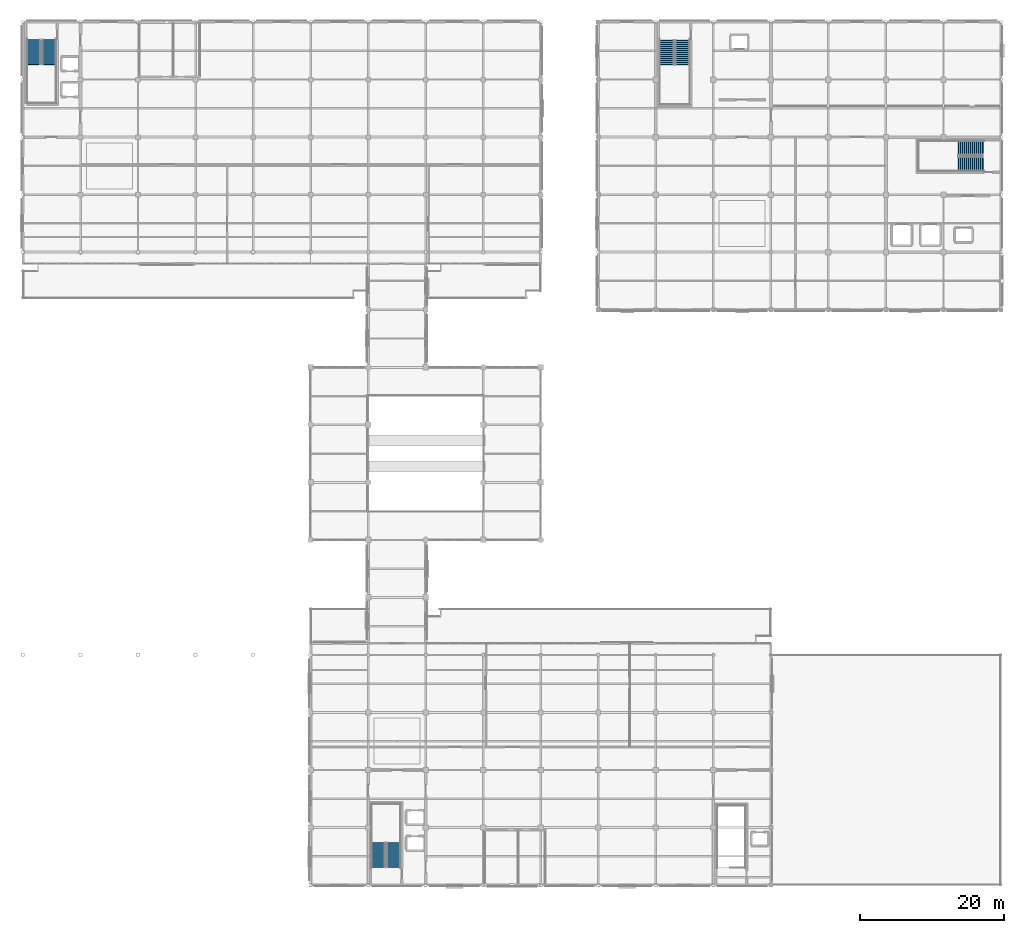
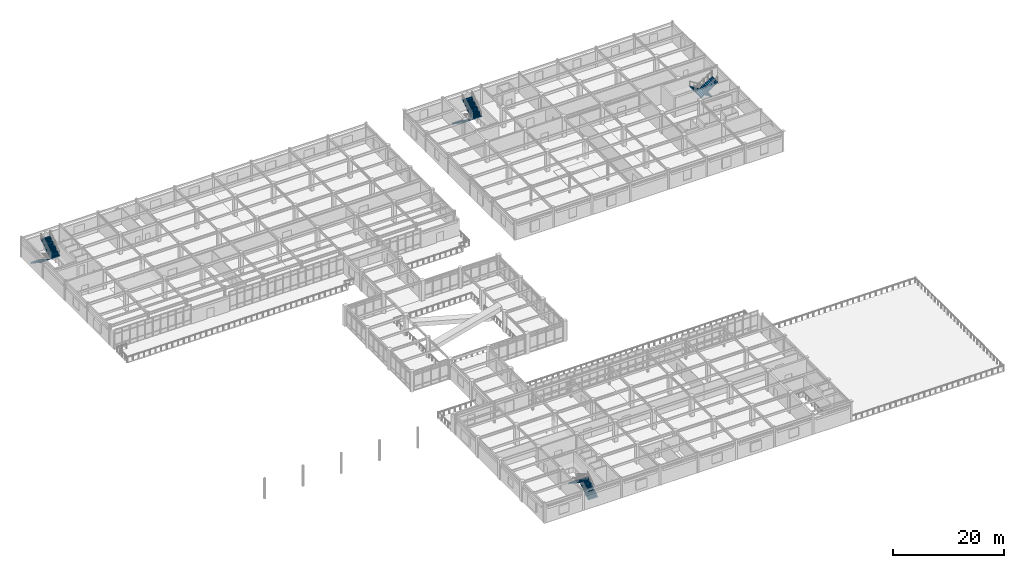
# One storey, part 65 of 93: 8 stair flights, 4 elements without a shape of their own.
"""IFC4 building model written with IfcOpenShell, lengths in metres."""

from ifc_helpers import new_model, si_unit, direction, frame, origin, place, context, subcontext, project, spatial, polyline, outline, extrude, material, type_object, element, aggregate, save


model = new_model("IFC4")

# Units and contexts
model_context = context("Model", 3, precision=1e-05, world=origin(), true_north=direction((0.0, 1.0)))
body_context = subcontext(model_context, "Body", "Model", "MODEL_VIEW")
ifc_project = project(units=[si_unit("LENGTHUNIT", "METRE"), si_unit("AREAUNIT", "SQUARE_METRE"), si_unit("VOLUMEUNIT", "CUBIC_METRE"), si_unit("PLANEANGLEUNIT", "RADIAN"), si_unit("MASSUNIT", "GRAM", prefix="KILO")], contexts=[model_context])

# Site, building, storey
site_placement = place(None, origin())
site = spatial("IfcSite", under=ifc_project, at=site_placement, CompositionType="ELEMENT")
building_placement = place(site_placement, origin())
building = spatial("IfcBuilding", under=site, at=building_placement, Name="Solmirada Galleria", CompositionType="ELEMENT")
storey_placement = place(building_placement, frame((0.0, 0.0, 14.89990234375)))
storey = spatial("IfcBuildingStorey", under=building, at=storey_placement, Name="L03", CompositionType="ELEMENT", Elevation=14.89990234375)

# Stair, stair flights
ifc_material = material(Name="Concrete C35/45", Category="concrete")
stair_type_1 = type_object("IfcStairType", Name="STR-DOG-200-H45", PredefinedType="HALF_TURN_STAIR", material=ifc_material)
stair_1_placement = place(storey_placement, origin())
stair_1 = element("IfcStair", 1, at=stair_1_placement, inside=storey, type_object=stair_type_1, Name="L03 Northwest Sales Core Exit Stair ST1", PredefinedType="HALF_TURN_STAIR")
stair_flight_type_1 = type_object("IfcStairFlightType", Name="SFL-DOG-200-H45", PredefinedType="STRAIGHT", material=ifc_material)
stair_flight_1_placement = place(storey_placement, frame((41.5, 117.5, 0.0), z_axis=(0.0, 0.0, 1.0), x_axis=(0.0, -1.0, 0.0)))
stair_flight_1 = element("IfcStairFlight", 2, at=stair_flight_1_placement, type_object=stair_flight_type_1, Name="ST1 flight 1", NumberOfRisers=13, NumberOfTreads=12, PredefinedType="STRAIGHT", RiserHeight=0.173076923, TreadLength=0.28, context=body_context, shape_type="SweptSolid", body=[
    extrude(outline(polyline([(-0.080078125, 0.0), (0.0, 0.0), (0.0, 0.173095703125), (0.280029296875, 0.173095703125), (0.280029296875, 0.34619140625), (0.56005859375, 0.34619140625), (0.56005859375, 0.519287109375), (0.840087890625, 0.519287109375), (0.840087890625, 0.6923828125), (1.1201171875, 0.6923828125), (1.1201171875, 0.865478515625), (1.39990234375, 0.865478515625), (1.39990234375, 1.03857421875), (1.679931640625, 1.03857421875), (1.679931640625, 1.21142578125), (1.9599609375, 1.21142578125), (1.9599609375, 1.384521484375), (2.239990234375, 1.384521484375), (2.239990234375, 1.5576171875), (2.52001953125, 1.5576171875), (2.52001953125, 1.730712890625), (2.800048828125, 1.730712890625), (2.800048828125, 1.90380859375), (3.080078125, 1.90380859375), (3.080078125, 2.076904296875), (3.360107421875, 2.076904296875), (3.360107421875, 2.25), (3.43994140625, 2.25), (3.43994140625, 2.050048828125), (3.360107421875, 2.050048828125), (0.080078125, -0.179931640625), (-0.080078125, -0.179931640625), (-0.080078125, 0.0)])), frame((0.0, 1.0, 0.0), z_axis=(0.0, -1.0, 0.0), x_axis=(1.0, 0.0, 0.0)), (0.0, 0.0, 1.0), 2.0),
])
stair_flight_2_placement = place(storey_placement, frame((43.64990234375, 114.139892578125, 2.25), z_axis=(0.0, 0.0, 1.0), x_axis=(0.0, 1.0, 0.0)))
stair_flight_2 = element("IfcStairFlight", 3, at=stair_flight_2_placement, type_object=stair_flight_type_1, Name="ST1 flight 2", NumberOfRisers=13, NumberOfTreads=12, PredefinedType="STRAIGHT", RiserHeight=0.173076923, TreadLength=0.28, context=body_context, shape_type="SweptSolid", body=[
    extrude(outline(polyline([(-0.080078125, 0.0), (0.0, 0.0), (0.0, 0.173095703125), (0.280029296875, 0.173095703125), (0.280029296875, 0.34619140625), (0.56005859375, 0.34619140625), (0.56005859375, 0.519287109375), (0.840087890625, 0.519287109375), (0.840087890625, 0.6923828125), (1.1201171875, 0.6923828125), (1.1201171875, 0.865478515625), (1.39990234375, 0.865478515625), (1.39990234375, 1.03857421875), (1.679931640625, 1.03857421875), (1.679931640625, 1.21142578125), (1.9599609375, 1.21142578125), (1.9599609375, 1.384521484375), (2.239990234375, 1.384521484375), (2.239990234375, 1.5576171875), (2.52001953125, 1.5576171875), (2.52001953125, 1.730712890625), (2.800048828125, 1.730712890625), (2.800048828125, 1.90380859375), (3.080078125, 1.90380859375), (3.080078125, 2.076904296875), (3.360107421875, 2.076904296875), (3.360107421875, 2.25), (3.43994140625, 2.25), (3.43994140625, 2.050048828125), (3.360107421875, 2.050048828125), (0.080078125, -0.179931640625), (-0.080078125, -0.179931640625), (-0.080078125, 0.0)])), frame((0.0, 1.0, 0.0), z_axis=(0.0, -1.0, 0.0), x_axis=(1.0, 0.0, 0.0)), (0.0, 0.0, 1.0), 2.0),
])
aggregate(stair_1, [stair_flight_1, stair_flight_2])

stair_2_placement = place(storey_placement, origin())
stair_2 = element("IfcStair", 4, at=stair_2_placement, inside=storey, type_object=stair_type_1, Name="L03 South Sales Core Exit Stair ST2", PredefinedType="HALF_TURN_STAIR")
stair_flight_3_placement = place(storey_placement, frame((91.550048828125, 2.5, 0.0), z_axis=(0.0, 0.0, 1.0), x_axis=(0.0, 1.0, 0.0)))
stair_flight_3 = element("IfcStairFlight", 5, at=stair_flight_3_placement, type_object=stair_flight_type_1, Name="ST2 flight 1", NumberOfRisers=13, NumberOfTreads=12, PredefinedType="STRAIGHT", RiserHeight=0.173076923, TreadLength=0.28, context=body_context, shape_type="SweptSolid", body=[
    extrude(outline(polyline([(-0.080078125, 0.0), (0.0, 0.0), (0.0, 0.173095703125), (0.280029296875, 0.173095703125), (0.280029296875, 0.34619140625), (0.56005859375, 0.34619140625), (0.56005859375, 0.519287109375), (0.840087890625, 0.519287109375), (0.840087890625, 0.6923828125), (1.1201171875, 0.6923828125), (1.1201171875, 0.865478515625), (1.39990234375, 0.865478515625), (1.39990234375, 1.03857421875), (1.679931640625, 1.03857421875), (1.679931640625, 1.21142578125), (1.9599609375, 1.21142578125), (1.9599609375, 1.384521484375), (2.239990234375, 1.384521484375), (2.239990234375, 1.5576171875), (2.52001953125, 1.5576171875), (2.52001953125, 1.730712890625), (2.800048828125, 1.730712890625), (2.800048828125, 1.90380859375), (3.080078125, 1.90380859375), (3.080078125, 2.076904296875), (3.360107421875, 2.076904296875), (3.360107421875, 2.25), (3.43994140625, 2.25), (3.43994140625, 2.050048828125), (3.360107421875, 2.050048828125), (0.080078125, -0.179931640625), (-0.080078125, -0.179931640625), (-0.080078125, 0.0)])), frame((0.0, 1.0, 0.0), z_axis=(0.0, -1.0, 0.0), x_axis=(1.0, 0.0, 0.0)), (0.0, 0.0, 1.0), 2.0),
])
stair_flight_4_placement = place(storey_placement, frame((89.39990234375, 5.860107421875, 2.25), z_axis=(0.0, 0.0, 1.0), x_axis=(0.0, -1.0, 0.0)))
stair_flight_4 = element("IfcStairFlight", 6, at=stair_flight_4_placement, type_object=stair_flight_type_1, Name="ST2 flight 2", NumberOfRisers=13, NumberOfTreads=12, PredefinedType="STRAIGHT", RiserHeight=0.173076923, TreadLength=0.28, context=body_context, shape_type="SweptSolid", body=[
    extrude(outline(polyline([(-0.080078125, 0.0), (0.0, 0.0), (0.0, 0.173095703125), (0.280029296875, 0.173095703125), (0.280029296875, 0.34619140625), (0.56005859375, 0.34619140625), (0.56005859375, 0.519287109375), (0.840087890625, 0.519287109375), (0.840087890625, 0.6923828125), (1.1201171875, 0.6923828125), (1.1201171875, 0.865478515625), (1.39990234375, 0.865478515625), (1.39990234375, 1.03857421875), (1.679931640625, 1.03857421875), (1.679931640625, 1.21142578125), (1.9599609375, 1.21142578125), (1.9599609375, 1.384521484375), (2.239990234375, 1.384521484375), (2.239990234375, 1.5576171875), (2.52001953125, 1.5576171875), (2.52001953125, 1.730712890625), (2.800048828125, 1.730712890625), (2.800048828125, 1.90380859375), (3.080078125, 1.90380859375), (3.080078125, 2.076904296875), (3.360107421875, 2.076904296875), (3.360107421875, 2.25), (3.43994140625, 2.25), (3.43994140625, 2.050048828125), (3.360107421875, 2.050048828125), (0.080078125, -0.179931640625), (-0.080078125, -0.179931640625), (-0.080078125, 0.0)])), frame((0.0, 1.0, 0.0), z_axis=(0.0, -1.0, 0.0), x_axis=(1.0, 0.0, 0.0)), (0.0, 0.0, 1.0), 2.0),
])
aggregate(stair_2, [stair_flight_3, stair_flight_4])

stair_type_2 = type_object("IfcStairType", Name="STR-DOG-205-H45", PredefinedType="HALF_TURN_STAIR", material=ifc_material)
stair_3_placement = place(storey_placement, origin())
stair_3 = element("IfcStair", 7, at=stair_3_placement, inside=storey, type_object=stair_type_2, Name="L03 North Avenue High-Rise Core Exit Stair ST3", PredefinedType="HALF_TURN_STAIR")
stair_flight_type_2 = type_object("IfcStairFlightType", Name="SFL-DOG-205-H45", PredefinedType="STRAIGHT", material=ifc_material)
stair_flight_5_placement = place(storey_placement, frame((129.52490234375, 117.449951171875, 0.0), z_axis=(0.0, 0.0, 1.0), x_axis=(0.0, -1.0, 0.0)))
stair_flight_5 = element("IfcStairFlight", 8, at=stair_flight_5_placement, type_object=stair_flight_type_2, Name="ST3 flight 1", NumberOfRisers=13, NumberOfTreads=12, PredefinedType="STRAIGHT", RiserHeight=0.173076923, TreadLength=0.28, context=body_context, shape_type="SweptSolid", body=[
    extrude(outline(polyline([(-0.080078125, 0.0), (0.0, 0.0), (0.0, 0.173095703125), (0.280029296875, 0.173095703125), (0.280029296875, 0.34619140625), (0.56005859375, 0.34619140625), (0.56005859375, 0.519287109375), (0.840087890625, 0.519287109375), (0.840087890625, 0.6923828125), (1.1201171875, 0.6923828125), (1.1201171875, 0.865478515625), (1.39990234375, 0.865478515625), (1.39990234375, 1.03857421875), (1.679931640625, 1.03857421875), (1.679931640625, 1.21142578125), (1.9599609375, 1.21142578125), (1.9599609375, 1.384521484375), (2.239990234375, 1.384521484375), (2.239990234375, 1.5576171875), (2.52001953125, 1.5576171875), (2.52001953125, 1.730712890625), (2.800048828125, 1.730712890625), (2.800048828125, 1.90380859375), (3.080078125, 1.90380859375), (3.080078125, 2.076904296875), (3.360107421875, 2.076904296875), (3.360107421875, 2.25), (3.43994140625, 2.25), (3.43994140625, 2.050048828125), (3.360107421875, 2.050048828125), (0.080078125, -0.179931640625), (-0.080078125, -0.179931640625), (-0.080078125, 0.0)])), frame((0.0, 1.02490234375, 0.0), z_axis=(0.0, -1.0, 0.0), x_axis=(1.0, 0.0, 0.0)), (0.0, 0.0, 1.0), 2.050048828125),
])
stair_flight_6_placement = place(storey_placement, frame((131.72509765625, 114.090087890625, 2.25), z_axis=(0.0, 0.0, 1.0), x_axis=(0.0, 1.0, 0.0)))
stair_flight_6 = element("IfcStairFlight", 9, at=stair_flight_6_placement, type_object=stair_flight_type_2, Name="ST3 flight 2", NumberOfRisers=13, NumberOfTreads=12, PredefinedType="STRAIGHT", RiserHeight=0.173076923, TreadLength=0.28, context=body_context, shape_type="SweptSolid", body=[
    extrude(outline(polyline([(-0.080078125, 0.0), (0.0, 0.0), (0.0, 0.173095703125), (0.280029296875, 0.173095703125), (0.280029296875, 0.34619140625), (0.56005859375, 0.34619140625), (0.56005859375, 0.519287109375), (0.840087890625, 0.519287109375), (0.840087890625, 0.6923828125), (1.1201171875, 0.6923828125), (1.1201171875, 0.865478515625), (1.39990234375, 0.865478515625), (1.39990234375, 1.03857421875), (1.679931640625, 1.03857421875), (1.679931640625, 1.21142578125), (1.9599609375, 1.21142578125), (1.9599609375, 1.384521484375), (2.239990234375, 1.384521484375), (2.239990234375, 1.5576171875), (2.52001953125, 1.5576171875), (2.52001953125, 1.730712890625), (2.800048828125, 1.730712890625), (2.800048828125, 1.90380859375), (3.080078125, 1.90380859375), (3.080078125, 2.076904296875), (3.360107421875, 2.076904296875), (3.360107421875, 2.25), (3.43994140625, 2.25), (3.43994140625, 2.050048828125), (3.360107421875, 2.050048828125), (0.080078125, -0.179931640625), (-0.080078125, -0.179931640625), (-0.080078125, 0.0)])), frame((0.0, 1.02490234375, 0.0), z_axis=(0.0, -1.0, 0.0), x_axis=(1.0, 0.0, 0.0)), (0.0, 0.0, 1.0), 2.050048828125),
])
aggregate(stair_3, [stair_flight_5, stair_flight_6])

stair_4_placement = place(storey_placement, origin())
stair_4 = element("IfcStair", 10, at=stair_4_placement, inside=storey, type_object=stair_type_2, Name="L03 East Avenue High-Rise and Freight Core Exit Stair ST4", PredefinedType="HALF_TURN_STAIR")
stair_flight_7_placement = place(storey_placement, frame((173.449951171875, 102.47509765625, 0.0), z_axis=(0.0, 0.0, 1.0), x_axis=(-1.0, 0.0, 0.0)))
stair_flight_7 = element("IfcStairFlight", 11, at=stair_flight_7_placement, type_object=stair_flight_type_2, Name="ST4 flight 1", NumberOfRisers=13, NumberOfTreads=12, PredefinedType="STRAIGHT", RiserHeight=0.173076923, TreadLength=0.28, context=body_context, shape_type="SweptSolid", body=[
    extrude(outline(polyline([(-0.080078125, 0.0), (0.0, 0.0), (0.0, 0.173095703125), (0.280029296875, 0.173095703125), (0.280029296875, 0.34619140625), (0.56005859375, 0.34619140625), (0.56005859375, 0.519287109375), (0.840087890625, 0.519287109375), (0.840087890625, 0.6923828125), (1.1201171875, 0.6923828125), (1.1201171875, 0.865478515625), (1.39990234375, 0.865478515625), (1.39990234375, 1.03857421875), (1.679931640625, 1.03857421875), (1.679931640625, 1.21142578125), (1.9599609375, 1.21142578125), (1.9599609375, 1.384521484375), (2.239990234375, 1.384521484375), (2.239990234375, 1.5576171875), (2.52001953125, 1.5576171875), (2.52001953125, 1.730712890625), (2.800048828125, 1.730712890625), (2.800048828125, 1.90380859375), (3.080078125, 1.90380859375), (3.080078125, 2.076904296875), (3.360107421875, 2.076904296875), (3.360107421875, 2.25), (3.43994140625, 2.25), (3.43994140625, 2.050048828125), (3.360107421875, 2.050048828125), (0.080078125, -0.179931640625), (-0.080078125, -0.179931640625), (-0.080078125, 0.0)])), frame((0.0, 1.02490234375, 0.0), z_axis=(0.0, -1.0, 0.0), x_axis=(1.0, 0.0, 0.0)), (0.0, 0.0, 1.0), 2.050048828125),
])
stair_flight_8_placement = place(storey_placement, frame((170.090087890625, 100.27490234375, 2.25), z_axis=(0.0, 0.0, 1.0), x_axis=(1.0, 0.0, 0.0)))
stair_flight_8 = element("IfcStairFlight", 12, at=stair_flight_8_placement, type_object=stair_flight_type_2, Name="ST4 flight 2", NumberOfRisers=13, NumberOfTreads=12, PredefinedType="STRAIGHT", RiserHeight=0.173076923, TreadLength=0.28, context=body_context, shape_type="SweptSolid", body=[
    extrude(outline(polyline([(-0.080078125, 0.0), (0.0, 0.0), (0.0, 0.173095703125), (0.280029296875, 0.173095703125), (0.280029296875, 0.34619140625), (0.56005859375, 0.34619140625), (0.56005859375, 0.519287109375), (0.840087890625, 0.519287109375), (0.840087890625, 0.6923828125), (1.1201171875, 0.6923828125), (1.1201171875, 0.865478515625), (1.39990234375, 0.865478515625), (1.39990234375, 1.03857421875), (1.679931640625, 1.03857421875), (1.679931640625, 1.21142578125), (1.9599609375, 1.21142578125), (1.9599609375, 1.384521484375), (2.239990234375, 1.384521484375), (2.239990234375, 1.5576171875), (2.52001953125, 1.5576171875), (2.52001953125, 1.730712890625), (2.800048828125, 1.730712890625), (2.800048828125, 1.90380859375), (3.080078125, 1.90380859375), (3.080078125, 2.076904296875), (3.360107421875, 2.076904296875), (3.360107421875, 2.25), (3.43994140625, 2.25), (3.43994140625, 2.050048828125), (3.360107421875, 2.050048828125), (0.080078125, -0.179931640625), (-0.080078125, -0.179931640625), (-0.080078125, 0.0)])), frame((0.0, 1.02490234375, 0.0), z_axis=(0.0, -1.0, 0.0), x_axis=(1.0, 0.0, 0.0)), (0.0, 0.0, 1.0), 2.050048828125),
])
aggregate(stair_4, [stair_flight_7, stair_flight_8])

save(model, "model.ifc")
